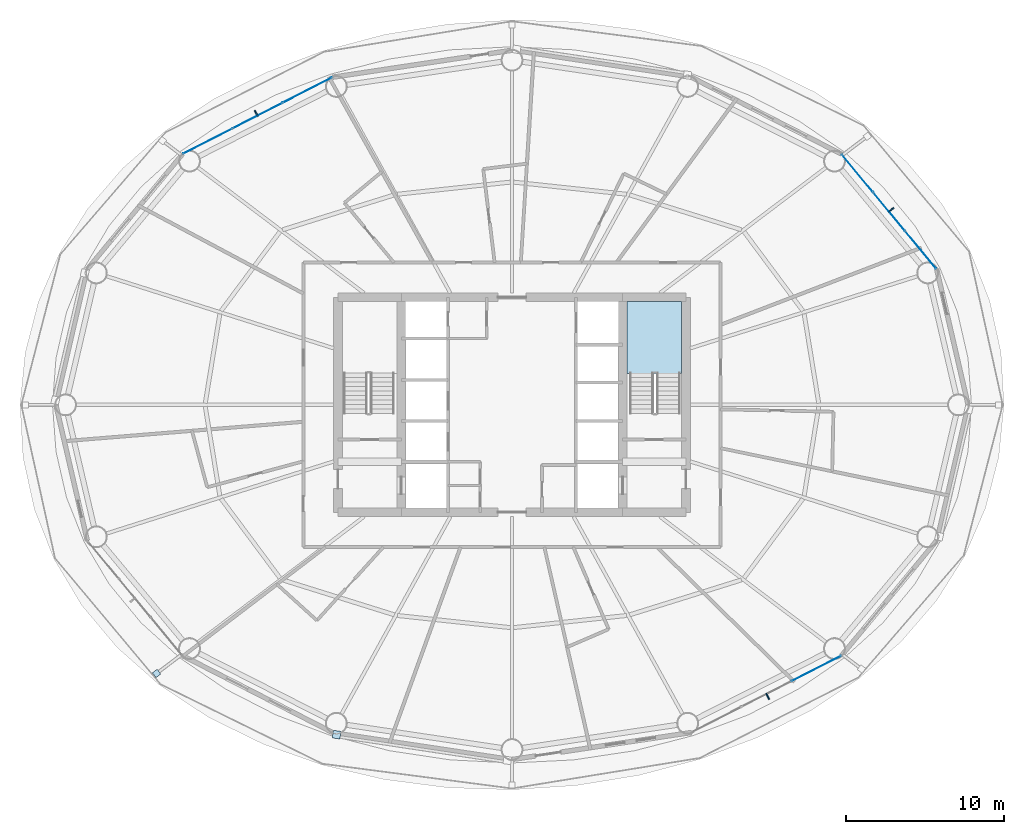
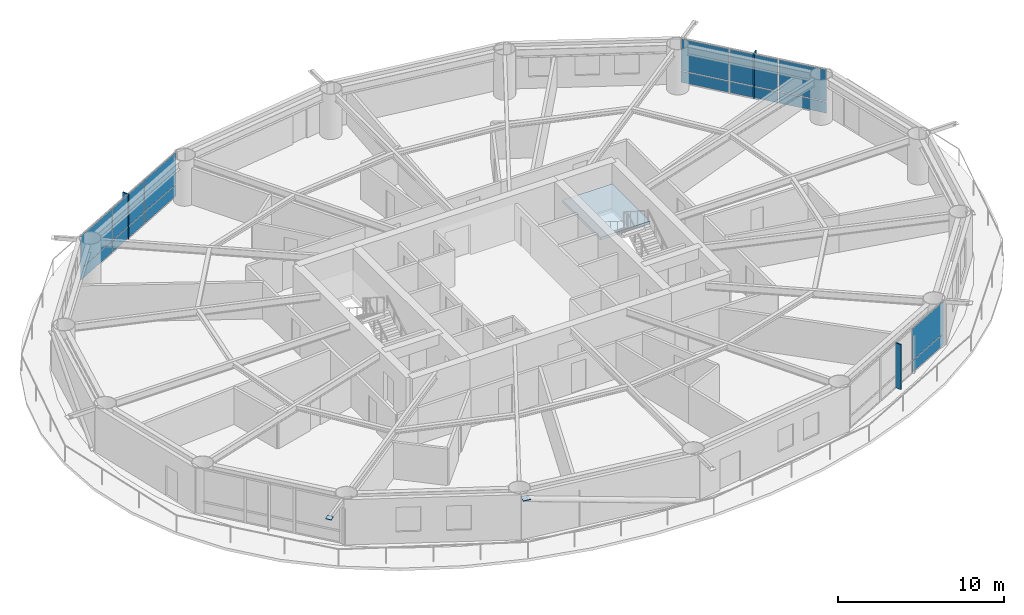
# One storey, part 16 of 24: 19 plates, 1 slab, 4 elements without a shape of their own.
"""IFC4 building model written with IfcOpenShell, lengths in metres."""

from ifc_helpers import new_model, si_unit, direction, frame, origin, origin_2d, place, context, subcontext, project, spatial, polyline, rectangle, outline, extrude, material, layer, layer_set, type_object, element, aggregate, save


model = new_model("IFC4")

# Units and contexts
model_context = context("Model", 3, precision=1e-05, world=origin(), true_north=direction((0.0, 1.0)))
body_context = subcontext(model_context, "Body", "Model", "MODEL_VIEW")
ifc_project = project(units=[si_unit("LENGTHUNIT", "METRE"), si_unit("AREAUNIT", "SQUARE_METRE"), si_unit("VOLUMEUNIT", "CUBIC_METRE"), si_unit("PLANEANGLEUNIT", "RADIAN"), si_unit("MASSUNIT", "GRAM", prefix="KILO")], contexts=[model_context])

# Site, building, storey
site_placement = place(None, origin())
site = spatial("IfcSite", under=ifc_project, at=site_placement, CompositionType="ELEMENT")
building_placement = place(site_placement, origin())
building = spatial("IfcBuilding", under=site, at=building_placement, Name="Sarneth Arch Tower", CompositionType="ELEMENT")
storey_placement = place(building_placement, frame((0.0, 0.0, 130.800048828125)))
storey = spatial("IfcBuildingStorey", under=building, at=storey_placement, Name="L33", CompositionType="ELEMENT", Elevation=130.800048828125)

# Curtain wall, plates
ifc_material_1 = material(Name="Anodised aluminium Type AA25 and solar-control low-e laminated IGU", Category="aluminium")
ifc_layer_1 = layer(ifc_material_1, 0.159912109375)
ifc_layer_set_1 = layer_set([ifc_layer_1], Name="Anodised aluminium Type AA25 and solar-control low-e laminated IGU")
curtain_wall_type = type_object("IfcCurtainWallType", Name="CW-HOTEL-MID", PredefinedType="NOTDEFINED", material=ifc_layer_set_1)
curtain_wall_1_placement = place(storey_placement, origin())
curtain_wall_1 = element("IfcCurtainWall", 1, at=curtain_wall_1_placement, inside=storey, type_object=curtain_wall_type, Name="L33 Unitised curtain wall facet 02", PredefinedType="NOTDEFINED")
ifc_material_2 = material(Name="Solar-control low-e laminated IGU", Category="glass")
ifc_layer_2 = layer(ifc_material_2, 0.028076171875)
ifc_layer_set_2 = layer_set([ifc_layer_2], Name="Solar-control low-e laminated IGU")
plate_type_1 = type_object("IfcPlateType", Name="CW-PANEL", PredefinedType="CURTAIN_PANEL", material=ifc_layer_set_2)
plate_1_placement = place(storey_placement, frame((73.84814453125, 51.807861328125, 0.059814453125), z_axis=(0.0, 0.0, 1.0), x_axis=(-0.637515188684, 0.770437787363, 0.0)))
plate_1 = element("IfcPlate", 2, at=plate_1_placement, type_object=plate_type_1, Name="Curtain wall glazed vision pane CW-L33-F02/P00-00", PredefinedType="CURTAIN_PANEL", context=body_context, shape_type="SweptSolid", body=[
    extrude(rectangle(XDim=3.058349609375, YDim=0.028076171875, at=origin_2d()), origin(), (0.0, 0.0, 1.0), 0.81005859375),
])
plate_2_placement = place(storey_placement, frame((73.84814453125, 51.807861328125, 0.929931640625), z_axis=(0.0, 0.0, 1.0), x_axis=(-0.637515188684, 0.770437787363, 0.0)))
plate_2 = element("IfcPlate", 3, at=plate_2_placement, type_object=plate_type_1, Name="Curtain wall glazed vision pane CW-L33-F02/P00-01", PredefinedType="CURTAIN_PANEL", context=body_context, shape_type="SweptSolid", body=[
    extrude(rectangle(XDim=3.058349609375, YDim=0.028076171875, at=origin_2d()), origin(), (0.0, 0.0, 1.0), 2.330078125),
])
plate_3_placement = place(storey_placement, frame((71.8505859375, 54.221923828125, 0.059814453125), z_axis=(0.0, 0.0, 1.0), x_axis=(-0.637515188684, 0.770437787363, 0.0)))
plate_3 = element("IfcPlate", 4, at=plate_3_placement, type_object=plate_type_1, Name="Curtain wall glazed vision pane CW-L33-F02/P01-00", PredefinedType="CURTAIN_PANEL", context=body_context, shape_type="SweptSolid", body=[
    extrude(rectangle(XDim=3.08837890625, YDim=0.028076171875, at=origin_2d()), origin(), (0.0, 0.0, 1.0), 0.81005859375),
])
plate_4_placement = place(storey_placement, frame((71.8505859375, 54.221923828125, 0.929931640625), z_axis=(0.0, 0.0, 1.0), x_axis=(-0.637515188684, 0.770437787363, 0.0)))
plate_4 = element("IfcPlate", 5, at=plate_4_placement, type_object=plate_type_1, Name="Curtain wall glazed vision pane CW-L33-F02/P01-01", PredefinedType="CURTAIN_PANEL", context=body_context, shape_type="SweptSolid", body=[
    extrude(rectangle(XDim=3.08837890625, YDim=0.028076171875, at=origin_2d()), origin(), (0.0, 0.0, 1.0), 2.330078125),
])
plate_5_placement = place(storey_placement, frame((69.85302734375, 56.635986328125, 0.059814453125), z_axis=(0.0, 0.0, 1.0), x_axis=(-0.637515188684, 0.770437787363, 0.0)))
plate_5 = element("IfcPlate", 6, at=plate_5_placement, type_object=plate_type_1, Name="Curtain wall glazed vision pane CW-L33-F02/P02-00", PredefinedType="CURTAIN_PANEL", context=body_context, shape_type="SweptSolid", body=[
    extrude(rectangle(XDim=3.058349609375, YDim=0.028076171875, at=origin_2d()), origin(), (0.0, 0.0, 1.0), 0.81005859375),
])
plate_6_placement = place(storey_placement, frame((69.85302734375, 56.635986328125, 0.929931640625), z_axis=(0.0, 0.0, 1.0), x_axis=(-0.637515188684, 0.770437787363, 0.0)))
plate_6 = element("IfcPlate", 7, at=plate_6_placement, type_object=plate_type_1, Name="Curtain wall glazed vision pane CW-L33-F02/P02-01", PredefinedType="CURTAIN_PANEL", context=body_context, shape_type="SweptSolid", body=[
    extrude(rectangle(XDim=3.058349609375, YDim=0.028076171875, at=origin_2d()), origin(), (0.0, 0.0, 1.0), 2.330078125),
])
aggregate(curtain_wall_1, [plate_1, plate_2, plate_3, plate_4, plate_5, plate_6])

curtain_wall_2_placement = place(storey_placement, origin())
curtain_wall_2 = element("IfcCurtainWall", 8, at=curtain_wall_2_placement, inside=storey, type_object=curtain_wall_type, Name="L33 Unitised curtain wall facet 06", PredefinedType="NOTDEFINED")
plate_7_placement = place(storey_placement, frame((35.053955078125, 61.905517578125, 0.059814453125), z_axis=(0.0, 0.0, 1.0), x_axis=(-0.889963703649, -0.456031365356, 0.0)))
plate_7 = element("IfcPlate", 9, at=plate_7_placement, type_object=plate_type_1, Name="Curtain wall glazed vision pane CW-L33-F06/P00-00", PredefinedType="CURTAIN_PANEL", context=body_context, shape_type="SweptSolid", body=[
    extrude(rectangle(XDim=3.464111328125, YDim=0.028076171875, at=origin_2d()), origin(), (0.0, 0.0, 1.0), 0.81005859375),
])
plate_8_placement = place(storey_placement, frame((35.053955078125, 61.905517578125, 0.929931640625), z_axis=(0.0, 0.0, 1.0), x_axis=(-0.889963703649, -0.456031365356, 0.0)))
plate_8 = element("IfcPlate", 10, at=plate_8_placement, type_object=plate_type_1, Name="Curtain wall glazed vision pane CW-L33-F06/P00-01", PredefinedType="CURTAIN_PANEL", context=body_context, shape_type="SweptSolid", body=[
    extrude(rectangle(XDim=3.464111328125, YDim=0.028076171875, at=origin_2d()), origin(), (0.0, 0.0, 1.0), 2.330078125),
])
plate_9_placement = place(storey_placement, frame((31.904296875, 60.29150390625, 0.059814453125), z_axis=(0.0, 0.0, 1.0), x_axis=(-0.889963703649, -0.456031365356, 0.0)))
plate_9 = element("IfcPlate", 11, at=plate_9_placement, type_object=plate_type_1, Name="Curtain wall glazed vision pane CW-L33-F06/P01-00", PredefinedType="CURTAIN_PANEL", context=body_context, shape_type="SweptSolid", body=[
    extrude(rectangle(XDim=3.493896484375, YDim=0.028076171875, at=origin_2d()), origin(), (0.0, 0.0, 1.0), 0.81005859375),
])
plate_10_placement = place(storey_placement, frame((31.904296875, 60.29150390625, 0.929931640625), z_axis=(0.0, 0.0, 1.0), x_axis=(-0.889963703649, -0.456031365356, 0.0)))
plate_10 = element("IfcPlate", 12, at=plate_10_placement, type_object=plate_type_1, Name="Curtain wall glazed vision pane CW-L33-F06/P01-01", PredefinedType="CURTAIN_PANEL", context=body_context, shape_type="SweptSolid", body=[
    extrude(rectangle(XDim=3.493896484375, YDim=0.028076171875, at=origin_2d()), origin(), (0.0, 0.0, 1.0), 2.330078125),
])
plate_11_placement = place(storey_placement, frame((28.7548828125, 58.677734375, 0.059814453125), z_axis=(0.0, 0.0, 1.0), x_axis=(-0.889963703649, -0.456031365356, 0.0)))
plate_11 = element("IfcPlate", 13, at=plate_11_placement, type_object=plate_type_1, Name="Curtain wall glazed vision pane CW-L33-F06/P02-00", PredefinedType="CURTAIN_PANEL", context=body_context, shape_type="SweptSolid", body=[
    extrude(rectangle(XDim=3.464111328125, YDim=0.028076171875, at=origin_2d()), origin(), (0.0, 0.0, 1.0), 0.81005859375),
])
plate_12_placement = place(storey_placement, frame((28.7548828125, 58.677734375, 0.929931640625), z_axis=(0.0, 0.0, 1.0), x_axis=(-0.889963703649, -0.456031365356, 0.0)))
plate_12 = element("IfcPlate", 14, at=plate_12_placement, type_object=plate_type_1, Name="Curtain wall glazed vision pane CW-L33-F06/P02-01", PredefinedType="CURTAIN_PANEL", context=body_context, shape_type="SweptSolid", body=[
    extrude(rectangle(XDim=3.464111328125, YDim=0.028076171875, at=origin_2d()), origin(), (0.0, 0.0, 1.0), 2.330078125),
])
aggregate(curtain_wall_2, [plate_7, plate_8, plate_9, plate_10, plate_11, plate_12])

curtain_wall_3_placement = place(storey_placement, origin())
curtain_wall_3 = element("IfcCurtainWall", 15, at=curtain_wall_3_placement, inside=storey, type_object=curtain_wall_type, Name="L33 Unitised curtain wall facet 14", PredefinedType="NOTDEFINED")
plate_13_placement = place(storey_placement, frame((67.2451171875, 25.322265625, 0.059814453125), z_axis=(0.0, 0.0, 1.0), x_axis=(0.889963703649, 0.456031365356, 0.0)))
plate_13 = element("IfcPlate", 16, at=plate_13_placement, type_object=plate_type_1, Name="Curtain wall glazed vision pane CW-L33-F14/P02-00", PredefinedType="CURTAIN_PANEL", context=body_context, shape_type="SweptSolid", body=[
    extrude(rectangle(XDim=3.464111328125, YDim=0.028076171875, at=origin_2d()), origin(), (0.0, 0.0, 1.0), 0.81005859375),
])
plate_14_placement = place(storey_placement, frame((67.2451171875, 25.322265625, 0.929931640625), z_axis=(0.0, 0.0, 1.0), x_axis=(0.889963703649, 0.456031365356, 0.0)))
plate_14 = element("IfcPlate", 17, at=plate_14_placement, type_object=plate_type_1, Name="Curtain wall glazed vision pane CW-L33-F14/P02-01", PredefinedType="CURTAIN_PANEL", context=body_context, shape_type="SweptSolid", body=[
    extrude(rectangle(XDim=3.464111328125, YDim=0.028076171875, at=origin_2d()), origin(), (0.0, 0.0, 1.0), 2.330078125),
])
aggregate(curtain_wall_3, [plate_13, plate_14])

# Plates
ifc_material_3 = material(Name="Steel S355", Category="steel")
ifc_layer_3 = layer(ifc_material_3, 0.035888671875)
ifc_layer_set_3 = layer_set([ifc_layer_3], Name="Steel S355")
plate_type_2 = type_object("IfcPlateType", Name="PLT-GUSSET-30", PredefinedType="SHEET", material=ifc_layer_set_3)
plate_15_placement = place(storey_placement, frame((25.521484375, 25.012451171875, 3.14208984375), z_axis=(0.0, 0.0, 1.0), x_axis=(-0.797794439539, -0.602929541689, 0.0)))
element("IfcPlate", 18, at=plate_15_placement, inside=storey, type_object=plate_type_2, Name="Steel end cap plate GP-1", PredefinedType="SHEET", context=body_context, shape_type="SweptSolid", body=[
    extrude(rectangle(XDim=0.3798828125, YDim=0.3798828125, at=origin_2d()), origin(), (0.0, 0.0, 1.0), 0.035888671875),
])
plate_16_placement = place(storey_placement, frame((36.9072265625, 21.140380859375, 2.935546875), z_axis=(0.0, 0.0, 1.0), x_axis=(0.988860535448, -0.148845024885, 0.0)))
element("IfcPlate", 19, at=plate_16_placement, inside=storey, type_object=plate_type_2, Name="Steel end cap plate GP-1", PredefinedType="SHEET", context=body_context, shape_type="SweptSolid", body=[
    extrude(rectangle(XDim=0.486083984375, YDim=0.486083984375, at=origin_2d()), origin(), (0.0, 0.0, 1.0), 0.035888671875),
])
ifc_material_4 = material(Name="Extruded glazed terracotta baguette fin on Aluminium 6063-T6 carrier", Category="masonry")
ifc_layer_4 = layer(ifc_material_4, 0.080078125)
ifc_layer_set_4 = layer_set([ifc_layer_4], Name="Extruded glazed terracotta baguette fin on Aluminium 6063-T6 carrier")
plate_type_3 = type_object("IfcPlateType", Name="SHADE-TERRA-FIN", PredefinedType="SHEET", material=ifc_layer_set_4)
for number, where, z_axis, x_axis, name in (
    (20, (71.981689453125, 54.330322265625, 0.009765625), (0.0, 0.0, 1.0), (0.770401979567, 0.63755845997, 0.0), "L33 Terracotta vertical shading fin 02"),
    (21, (31.826904296875, 60.44287109375, 0.009765625), (0.0, 0.0, 1.0), (-0.456010959102, 0.889974159838, 0.0), "L33 Terracotta vertical shading fin 06"),
    (22, (64.173095703125, 23.55712890625, 0.009765625), (0.0, 0.0, 1.0), (0.456010959102, -0.889974159838, 0.0), "L33 Terracotta vertical shading fin 14"),
):
    element("IfcPlate", number, at=place(storey_placement, frame(where, z_axis=z_axis, x_axis=x_axis)), inside=storey, type_object=plate_type_3, Name=name, PredefinedType="SHEET", context=body_context, shape_type="SweptSolid", body=[
        extrude(rectangle(XDim=0.419921875, YDim=0.080078125, at=origin_2d()), origin(), (0.0, 0.0, 1.0), 3.300048828125),
    ])

# Stair, slab
ifc_material_5 = material(Name="Concrete C50/60", Category="concrete")
stair_type = type_object("IfcStairType", Name="STAIR-CORE-RC", PredefinedType="HALF_TURN_STAIR", material=ifc_material_5)
stair_placement = place(storey_placement, origin())
stair = element("IfcStair", 23, at=stair_placement, inside=storey, type_object=stair_type, Name="L33 Core Exit Stair 2", PredefinedType="HALF_TURN_STAIR")
ifc_material_6 = material(Name="Concrete C50/60", Category="concrete")
ifc_layer_5 = layer(ifc_material_6, 0.199951171875)
ifc_layer_set_5 = layer_set([ifc_layer_5], Name="Concrete C50/60")
slab_type = type_object("IfcSlabType", Name="SLAB-LANDING-200", PredefinedType="LANDING", material=ifc_layer_set_5)
slab_placement = place(storey_placement, frame((0.0, 0.0, 1.599853515625)))
slab = element("IfcSlab", 24, at=slab_placement, type_object=slab_type, Name="ST-2 landing 1", PredefinedType="LANDING", context=body_context, shape_type="SweptSolid", body=[
    extrude(outline(polyline([(55.27490234375, 43.985107421875), (58.72509765625, 43.985107421875), (58.72509765625, 48.52490234375), (55.27490234375, 48.52490234375), (55.27490234375, 43.985107421875)])), origin(), (0.0, 0.0, 1.0), 0.2001953125),
])
aggregate(stair, [slab])

save(model, "model.ifc")
